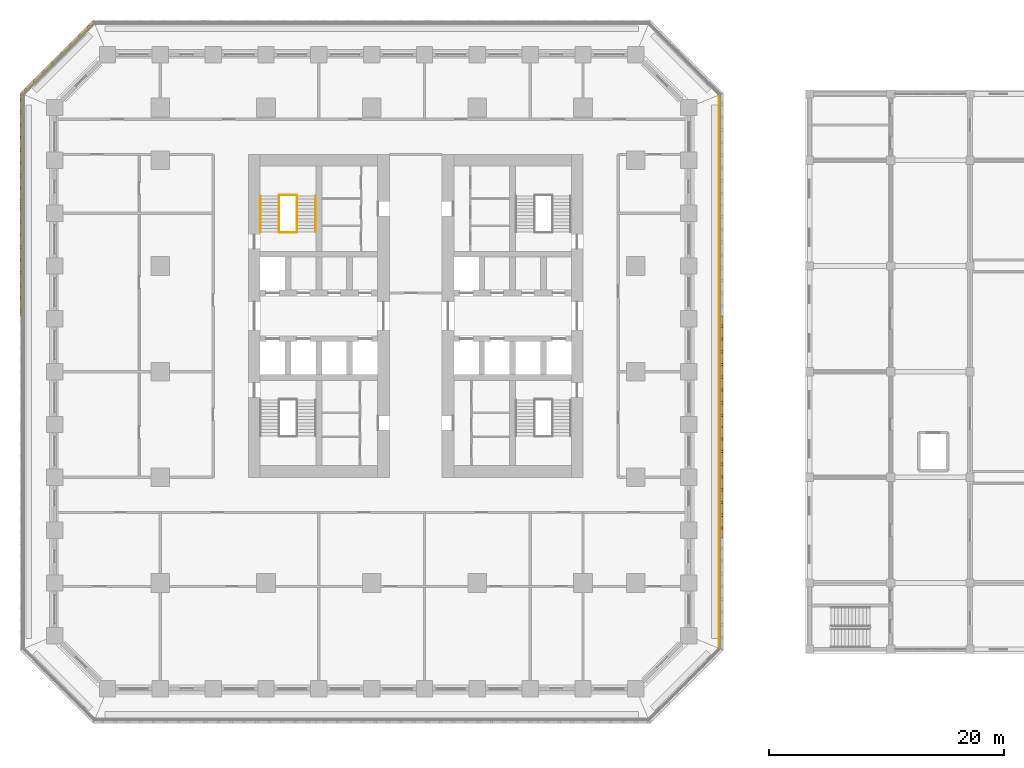
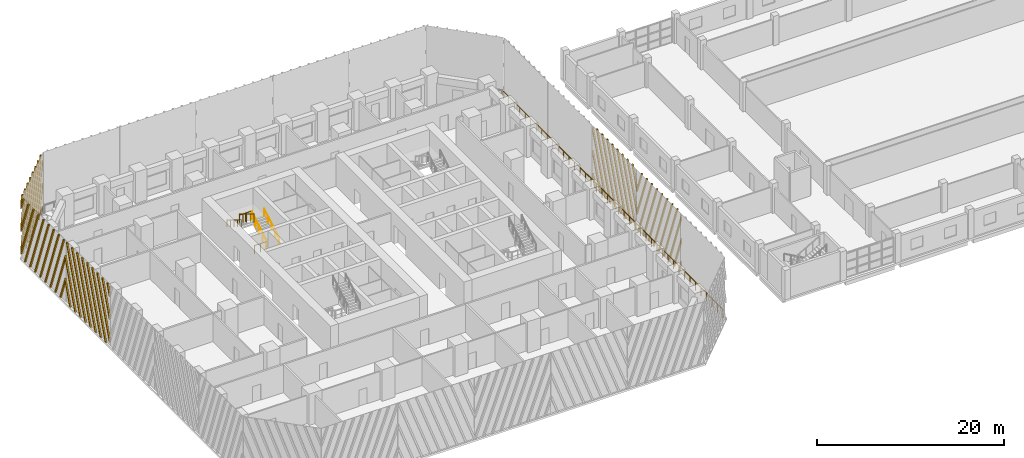
# One storey, part 23 of 31: 7 railings, 5 shading devices.
"""IFC4 building model written with IfcOpenShell, lengths in metres."""

from ifc_helpers import new_model, si_unit, direction, frame, origin, origin_2d, place, context, subcontext, project, spatial, polyline, circle, outline, extrude, source, transform, mapped, material, type_object, element, save


model = new_model("IFC4")

# Units and contexts
model_context = context("Model", 3, precision=1e-05, world=origin(), true_north=direction((0.0, 1.0)))
body_context = subcontext(model_context, "Body", "Model", "MODEL_VIEW")
ifc_project = project(units=[si_unit("LENGTHUNIT", "METRE"), si_unit("AREAUNIT", "SQUARE_METRE"), si_unit("VOLUMEUNIT", "CUBIC_METRE"), si_unit("PLANEANGLEUNIT", "RADIAN"), si_unit("MASSUNIT", "GRAM", prefix="KILO")], contexts=[model_context])

# Site, building, storey
site_placement = place(None, origin())
site = spatial("IfcSite", under=ifc_project, at=site_placement, CompositionType="ELEMENT")
building_placement = place(site_placement, origin())
building = spatial("IfcBuilding", under=site, at=building_placement, Name="Corbel Stack Research Tower", CompositionType="ELEMENT")
storey_placement = place(building_placement, frame((0.0, 0.0, 15.39990234375)))
storey = spatial("IfcBuildingStorey", under=building, at=storey_placement, Name="L03", CompositionType="ELEMENT", Elevation=15.39990234375)

# Railings
ifc_material_1 = material(Name="Steel S355", Category="steel")
railing_type_1 = type_object("IfcRailingType", Name="Stair guard 1100", PredefinedType="GUARDRAIL", material=ifc_material_1)
railing_1_placement = place(storey_placement, frame((-6.35009765625, 11.89990234375, 0.1708984375)))
element("IfcRailing", 1, at=railing_1_placement, inside=storey, type_object=railing_type_1, Name="L03 ST-W2 stair guard 1", PredefinedType="GUARDRAIL", context=body_context, shape_type="SweptSolid", body=[
    extrude(circle(Radius=0.02392578125, at=origin_2d()), frame((0.0, 0.0, 1.076171875), z_axis=(0.0, 0.853666305674, 0.52082035152), x_axis=(-1.0, 0.0, 0.0)), (0.0, 0.0, 1.0), 3.608154296875),
    extrude(circle(Radius=0.02099609375, at=origin_2d()), origin(), (0.0, 0.0, 1.0), 1.052001953125),
    extrude(circle(Radius=0.02099609375, at=origin_2d()), frame((0.0, 0.77001953125, 0.4697265625)), (0.0, 0.0, 1.0), 1.052001953125),
    extrude(circle(Radius=0.02099609375, at=origin_2d()), frame((0.0, 1.5400390625, 0.939453125)), (0.0, 0.0, 1.0), 1.052001953125),
    extrude(circle(Radius=0.02099609375, at=origin_2d()), frame((0.0, 2.31005859375, 1.409423828125)), (0.0, 0.0, 1.0), 1.052001953125),
    extrude(circle(Radius=0.02099609375, at=origin_2d()), frame((0.0, 3.080078125, 1.879150390625)), (0.0, 0.0, 1.0), 1.052001953125),
])
railing_2_placement = place(storey_placement, frame((-6.39990234375, 15.030029296875, 2.050048828125)))
element("IfcRailing", 2, at=railing_2_placement, inside=storey, type_object=railing_type_1, Name="L03 ST-W2 stair guard 2", PredefinedType="GUARDRAIL", context=body_context, shape_type="SweptSolid", body=[
    extrude(circle(Radius=0.02392578125, at=origin_2d()), frame((0.0, 0.0, 1.076171875), z_axis=(-1.0, 0.0, 0.0), x_axis=(0.0, -1.0, 0.0)), (0.0, 0.0, 1.0), 1.4501953125),
    extrude(circle(Radius=0.02099609375, at=origin_2d()), origin(), (0.0, 0.0, 1.0), 1.052001953125),
    extrude(circle(Radius=0.02099609375, at=origin_2d()), frame((-0.72509765625, 0.0, 0.0)), (0.0, 0.0, 1.0), 1.052001953125),
    extrude(circle(Radius=0.02099609375, at=origin_2d()), frame((-1.4501953125, 0.0, 0.0)), (0.0, 0.0, 1.0), 1.052001953125),
])
railing_3_placement = place(storey_placement, frame((-7.89990234375, 14.97998046875, 2.220947265625)))
element("IfcRailing", 3, at=railing_3_placement, inside=storey, type_object=railing_type_1, Name="L03 ST-W2 stair guard 3", PredefinedType="GUARDRAIL", context=body_context, shape_type="SweptSolid", body=[
    extrude(circle(Radius=0.02392578125, at=origin_2d()), frame((0.0, 0.0, 1.076171875), z_axis=(0.0, -0.853666305674, 0.52082035152), x_axis=(1.0, 0.0, 0.0)), (0.0, 0.0, 1.0), 3.608154296875),
    extrude(circle(Radius=0.02099609375, at=origin_2d()), origin(), (0.0, 0.0, 1.0), 1.052001953125),
    extrude(circle(Radius=0.02099609375, at=origin_2d()), frame((0.0, -0.77001953125, 0.4697265625)), (0.0, 0.0, 1.0), 1.052001953125),
    extrude(circle(Radius=0.02099609375, at=origin_2d()), frame((0.0, -1.5400390625, 0.939453125)), (0.0, 0.0, 1.0), 1.052001953125),
    extrude(circle(Radius=0.02099609375, at=origin_2d()), frame((0.0, -2.31005859375, 1.409423828125)), (0.0, 0.0, 1.0), 1.052001953125),
    extrude(circle(Radius=0.02099609375, at=origin_2d()), frame((0.0, -3.080078125, 1.879150390625)), (0.0, 0.0, 1.0), 1.052001953125),
])
railing_4_placement = place(storey_placement, frame((-6.39990234375, 11.85009765625, 0.0)))
element("IfcRailing", 4, at=railing_4_placement, inside=storey, type_object=railing_type_1, Name="L03 ST-W2 stair guard 4", PredefinedType="GUARDRAIL", context=body_context, shape_type="SweptSolid", body=[
    extrude(circle(Radius=0.02392578125, at=origin_2d()), frame((0.0, 0.0, 1.076171875), z_axis=(-1.0, 0.0, 0.0), x_axis=(0.0, -1.0, 0.0)), (0.0, 0.0, 1.0), 1.4501953125),
    extrude(circle(Radius=0.02099609375, at=origin_2d()), origin(), (0.0, 0.0, 1.0), 1.052001953125),
    extrude(circle(Radius=0.02099609375, at=origin_2d()), frame((-0.72509765625, 0.0, 0.0)), (0.0, 0.0, 1.0), 1.052001953125),
    extrude(circle(Radius=0.02099609375, at=origin_2d()), frame((-1.4501953125, 0.0, 0.0)), (0.0, 0.0, 1.0), 1.052001953125),
])
ifc_material_2 = material(Name="Steel S355", Category="steel")
railing_type_2 = type_object("IfcRailingType", Name="Stair handrail 900", PredefinedType="HANDRAIL", material=ifc_material_2)
railing_5_placement = place(storey_placement, frame((-4.800048828125, 11.89990234375, 0.1708984375)))
element("IfcRailing", 5, at=railing_5_placement, inside=storey, type_object=railing_type_2, Name="L03 ST-W2 stair handrail 1", PredefinedType="HANDRAIL", context=body_context, shape_type="SweptSolid", body=[
    extrude(circle(Radius=0.02392578125, at=origin_2d()), frame((0.0, 0.0, 0.8759765625), z_axis=(0.0, 0.853666305674, 0.52082035152), x_axis=(-1.0, 0.0, 0.0)), (0.0, 0.0, 1.0), 3.608154296875),
    extrude(circle(Radius=0.02099609375, at=origin_2d()), origin(), (0.0, 0.0, 1.0), 0.851806640625),
    extrude(circle(Radius=0.02099609375, at=origin_2d()), frame((0.0, 0.77001953125, 0.4697265625)), (0.0, 0.0, 1.0), 0.851806640625),
    extrude(circle(Radius=0.02099609375, at=origin_2d()), frame((0.0, 1.5400390625, 0.939453125)), (0.0, 0.0, 1.0), 0.851806640625),
    extrude(circle(Radius=0.02099609375, at=origin_2d()), frame((0.0, 2.31005859375, 1.409423828125)), (0.0, 0.0, 1.0), 0.851806640625),
    extrude(circle(Radius=0.02099609375, at=origin_2d()), frame((0.0, 3.080078125, 1.879150390625)), (0.0, 0.0, 1.0), 0.851806640625),
])
railing_6_placement = place(storey_placement, frame((-9.449951171875, 14.97998046875, 2.220947265625)))
element("IfcRailing", 6, at=railing_6_placement, inside=storey, type_object=railing_type_2, Name="L03 ST-W2 stair handrail 2", PredefinedType="HANDRAIL", context=body_context, shape_type="SweptSolid", body=[
    extrude(circle(Radius=0.02392578125, at=origin_2d()), frame((0.0, 0.0, 0.8759765625), z_axis=(0.0, -0.853666305674, 0.52082035152), x_axis=(1.0, 0.0, 0.0)), (0.0, 0.0, 1.0), 3.608154296875),
    extrude(circle(Radius=0.02099609375, at=origin_2d()), origin(), (0.0, 0.0, 1.0), 0.851806640625),
    extrude(circle(Radius=0.02099609375, at=origin_2d()), frame((0.0, -0.77001953125, 0.4697265625)), (0.0, 0.0, 1.0), 0.851806640625),
    extrude(circle(Radius=0.02099609375, at=origin_2d()), frame((0.0, -1.5400390625, 0.939453125)), (0.0, 0.0, 1.0), 0.851806640625),
    extrude(circle(Radius=0.02099609375, at=origin_2d()), frame((0.0, -2.31005859375, 1.409423828125)), (0.0, 0.0, 1.0), 0.851806640625),
    extrude(circle(Radius=0.02099609375, at=origin_2d()), frame((0.0, -3.080078125, 1.879150390625)), (0.0, 0.0, 1.0), 0.851806640625),
])
ifc_material_3 = material(Name="Powder-coated steel guard", Category="steel")
railing_type_3 = type_object("IfcRailingType", Name="Steel and glass guard 1100", PredefinedType="GUARDRAIL", material=ifc_material_3)
railing_7_placement = place(storey_placement, frame((29.60009765625, -23.50537109375, 0.0)))
element("IfcRailing", 7, at=railing_7_placement, inside=storey, type_object=railing_type_3, Name="Loggia guard L03 E", PredefinedType="GUARDRAIL", context=body_context, shape_type="SweptSolid", body=[
    extrude(circle(Radius=0.02392578125, at=origin_2d()), frame((0.0, 0.0, 1.076171875), z_axis=(0.0, 1.0, 0.0), x_axis=(-1.0, 0.0, 0.0)), (0.0, 0.0, 1.0), 47.0107421875),
    extrude(circle(Radius=0.02099609375, at=origin_2d()), origin(), (0.0, 0.0, 1.0), 1.052001953125),
    extrude(circle(Radius=0.02099609375, at=origin_2d()), frame((0.0, 1.17529296875, 0.0)), (0.0, 0.0, 1.0), 1.052001953125),
    extrude(circle(Radius=0.02099609375, at=origin_2d()), frame((0.0, 2.3505859375, 0.0)), (0.0, 0.0, 1.0), 1.052001953125),
    extrude(circle(Radius=0.02099609375, at=origin_2d()), frame((0.0, 3.52587890625, 0.0)), (0.0, 0.0, 1.0), 1.052001953125),
    extrude(circle(Radius=0.02099609375, at=origin_2d()), frame((0.0, 4.701171875, 0.0)), (0.0, 0.0, 1.0), 1.052001953125),
    extrude(circle(Radius=0.02099609375, at=origin_2d()), frame((0.0, 5.87646484375, 0.0)), (0.0, 0.0, 1.0), 1.052001953125),
    extrude(circle(Radius=0.02099609375, at=origin_2d()), frame((0.0, 7.051513671875, 0.0)), (0.0, 0.0, 1.0), 1.052001953125),
    extrude(circle(Radius=0.02099609375, at=origin_2d()), frame((0.0, 8.226806640625, 0.0)), (0.0, 0.0, 1.0), 1.052001953125),
    extrude(circle(Radius=0.02099609375, at=origin_2d()), frame((0.0, 9.402099609375, 0.0)), (0.0, 0.0, 1.0), 1.052001953125),
    extrude(circle(Radius=0.02099609375, at=origin_2d()), frame((0.0, 10.577392578125, 0.0)), (0.0, 0.0, 1.0), 1.052001953125),
    extrude(circle(Radius=0.02099609375, at=origin_2d()), frame((0.0, 11.752685546875, 0.0)), (0.0, 0.0, 1.0), 1.052001953125),
    extrude(circle(Radius=0.02099609375, at=origin_2d()), frame((0.0, 12.927978515625, 0.0)), (0.0, 0.0, 1.0), 1.052001953125),
    extrude(circle(Radius=0.02099609375, at=origin_2d()), frame((0.0, 14.103271484375, 0.0)), (0.0, 0.0, 1.0), 1.052001953125),
    extrude(circle(Radius=0.02099609375, at=origin_2d()), frame((0.0, 15.278564453125, 0.0)), (0.0, 0.0, 1.0), 1.052001953125),
    extrude(circle(Radius=0.02099609375, at=origin_2d()), frame((0.0, 16.453857421875, 0.0)), (0.0, 0.0, 1.0), 1.052001953125),
    extrude(circle(Radius=0.02099609375, at=origin_2d()), frame((0.0, 17.62890625, 0.0)), (0.0, 0.0, 1.0), 1.052001953125),
    extrude(circle(Radius=0.02099609375, at=origin_2d()), frame((0.0, 18.80419921875, 0.0)), (0.0, 0.0, 1.0), 1.052001953125),
    extrude(circle(Radius=0.02099609375, at=origin_2d()), frame((0.0, 19.9794921875, 0.0)), (0.0, 0.0, 1.0), 1.052001953125),
    extrude(circle(Radius=0.02099609375, at=origin_2d()), frame((0.0, 21.15478515625, 0.0)), (0.0, 0.0, 1.0), 1.052001953125),
    extrude(circle(Radius=0.02099609375, at=origin_2d()), frame((0.0, 22.330078125, 0.0)), (0.0, 0.0, 1.0), 1.052001953125),
    extrude(circle(Radius=0.02099609375, at=origin_2d()), frame((0.0, 23.50537109375, 0.0)), (0.0, 0.0, 1.0), 1.052001953125),
    extrude(circle(Radius=0.02099609375, at=origin_2d()), frame((0.0, 24.6806640625, 0.0)), (0.0, 0.0, 1.0), 1.052001953125),
    extrude(circle(Radius=0.02099609375, at=origin_2d()), frame((0.0, 25.85595703125, 0.0)), (0.0, 0.0, 1.0), 1.052001953125),
    extrude(circle(Radius=0.02099609375, at=origin_2d()), frame((0.0, 27.03125, 0.0)), (0.0, 0.0, 1.0), 1.052001953125),
    extrude(circle(Radius=0.02099609375, at=origin_2d()), frame((0.0, 28.20654296875, 0.0)), (0.0, 0.0, 1.0), 1.052001953125),
    extrude(circle(Radius=0.02099609375, at=origin_2d()), frame((0.0, 29.3818359375, 0.0)), (0.0, 0.0, 1.0), 1.052001953125),
    extrude(circle(Radius=0.02099609375, at=origin_2d()), frame((0.0, 30.556884765625, 0.0)), (0.0, 0.0, 1.0), 1.052001953125),
    extrude(circle(Radius=0.02099609375, at=origin_2d()), frame((0.0, 31.732177734375, 0.0)), (0.0, 0.0, 1.0), 1.052001953125),
    extrude(circle(Radius=0.02099609375, at=origin_2d()), frame((0.0, 32.907470703125, 0.0)), (0.0, 0.0, 1.0), 1.052001953125),
    extrude(circle(Radius=0.02099609375, at=origin_2d()), frame((0.0, 34.082763671875, 0.0)), (0.0, 0.0, 1.0), 1.052001953125),
    extrude(circle(Radius=0.02099609375, at=origin_2d()), frame((0.0, 35.258056640625, 0.0)), (0.0, 0.0, 1.0), 1.052001953125),
    extrude(circle(Radius=0.02099609375, at=origin_2d()), frame((0.0, 36.433349609375, 0.0)), (0.0, 0.0, 1.0), 1.052001953125),
    extrude(circle(Radius=0.02099609375, at=origin_2d()), frame((0.0, 37.608642578125, 0.0)), (0.0, 0.0, 1.0), 1.052001953125),
    extrude(circle(Radius=0.02099609375, at=origin_2d()), frame((0.0, 38.783935546875, 0.0)), (0.0, 0.0, 1.0), 1.052001953125),
    extrude(circle(Radius=0.02099609375, at=origin_2d()), frame((0.0, 39.959228515625, 0.0)), (0.0, 0.0, 1.0), 1.052001953125),
    extrude(circle(Radius=0.02099609375, at=origin_2d()), frame((0.0, 41.13427734375, 0.0)), (0.0, 0.0, 1.0), 1.052001953125),
    extrude(circle(Radius=0.02099609375, at=origin_2d()), frame((0.0, 42.3095703125, 0.0)), (0.0, 0.0, 1.0), 1.052001953125),
    extrude(circle(Radius=0.02099609375, at=origin_2d()), frame((0.0, 43.48486328125, 0.0)), (0.0, 0.0, 1.0), 1.052001953125),
    extrude(circle(Radius=0.02099609375, at=origin_2d()), frame((0.0, 44.66015625, 0.0)), (0.0, 0.0, 1.0), 1.052001953125),
    extrude(circle(Radius=0.02099609375, at=origin_2d()), frame((0.0, 45.83544921875, 0.0)), (0.0, 0.0, 1.0), 1.052001953125),
    extrude(circle(Radius=0.02099609375, at=origin_2d()), frame((0.0, 47.0107421875, 0.0)), (0.0, 0.0, 1.0), 1.052001953125),
])

# Shading devices
ifc_material_4 = material(Name="Precast terracotta", Category="masonry")
shading_device_type = type_object("IfcShadingDeviceType", Name="Terracotta screen panel", PredefinedType="USERDEFINED", material=ifc_material_4)
shared_shape_1 = source(origin(), body_context, "Body", "SweptSolid", [
    extrude(outline(polyline([(1.09033203125, 7.949951171875), (0.900390625, 7.949951171875), (0.0, 5.476318359375), (0.0, 4.9541015625), (1.09033203125, 7.949951171875)])), frame((0.0, 0.0, 0.0), z_axis=(0.0, -1.0, 0.0), x_axis=(1.0, 0.0, 0.0)), (0.0, 0.0, 1.0), 0.179931640625),
    extrude(outline(polyline([(2.175048828125, 7.949951171875), (1.985107421875, 7.949951171875), (0.0, 2.49609375), (0.0, 1.97412109375), (2.175048828125, 7.949951171875)])), frame((0.0, 0.0, 0.0), z_axis=(0.0, -1.0, 0.0), x_axis=(1.0, 0.0, 0.0)), (0.0, 0.0, 1.0), 0.179931640625),
    extrude(outline(polyline([(0.3662109375, 0.0), (3.259765625, 7.949951171875), (3.069580078125, 7.949951171875), (0.17626953125, 0.0), (0.3662109375, 0.0)])), frame((0.0, 0.0, 0.0), z_axis=(0.0, -1.0, 0.0), x_axis=(1.0, 0.0, 0.0)), (0.0, 0.0, 1.0), 0.179931640625),
    extrude(outline(polyline([(1.45068359375, 0.0), (4.344482421875, 7.949951171875), (4.154296875, 7.949951171875), (1.2607421875, 0.0), (1.45068359375, 0.0)])), frame((0.0, 0.0, 0.0), z_axis=(0.0, -1.0, 0.0), x_axis=(1.0, 0.0, 0.0)), (0.0, 0.0, 1.0), 0.179931640625),
    extrude(outline(polyline([(2.535400390625, 0.0), (5.42919921875, 7.949951171875), (5.239013671875, 7.949951171875), (2.345458984375, 0.0), (2.535400390625, 0.0)])), frame((0.0, 0.0, 0.0), z_axis=(0.0, -1.0, 0.0), x_axis=(1.0, 0.0, 0.0)), (0.0, 0.0, 1.0), 0.179931640625),
    extrude(outline(polyline([(3.6201171875, 0.0), (6.513671875, 7.949951171875), (6.32373046875, 7.949951171875), (3.43017578125, 0.0), (3.6201171875, 0.0)])), frame((0.0, 0.0, 0.0), z_axis=(0.0, -1.0, 0.0), x_axis=(1.0, 0.0, 0.0)), (0.0, 0.0, 1.0), 0.179931640625),
    extrude(outline(polyline([(4.704833984375, 0.0), (7.598388671875, 7.949951171875), (7.408447265625, 7.949951171875), (4.514892578125, 0.0), (4.704833984375, 0.0)])), frame((0.0, 0.0, 0.0), z_axis=(0.0, -1.0, 0.0), x_axis=(1.0, 0.0, 0.0)), (0.0, 0.0, 1.0), 0.179931640625),
    extrude(outline(polyline([(5.78955078125, 0.0), (8.68310546875, 7.949951171875), (8.4931640625, 7.949951171875), (5.599609375, 0.0), (5.78955078125, 0.0)])), frame((0.0, 0.0, 0.0), z_axis=(0.0, -1.0, 0.0), x_axis=(1.0, 0.0, 0.0)), (0.0, 0.0, 1.0), 0.179931640625),
    extrude(outline(polyline([(6.874267578125, 0.0), (9.45556640625, 7.092529296875), (9.45556640625, 7.614501953125), (6.68408203125, 0.0), (6.874267578125, 0.0)])), frame((0.0, 0.0, 0.0), z_axis=(0.0, -1.0, 0.0), x_axis=(1.0, 0.0, 0.0)), (0.0, 0.0, 1.0), 0.179931640625),
    extrude(outline(polyline([(7.958740234375, 0.0), (9.45556640625, 4.1123046875), (9.45556640625, 4.634521484375), (7.768798828125, 0.0), (7.958740234375, 0.0)])), frame((0.0, 0.0, 0.0), z_axis=(0.0, -1.0, 0.0), x_axis=(1.0, 0.0, 0.0)), (0.0, 0.0, 1.0), 0.179931640625),
    extrude(outline(polyline([(9.04345703125, 0.0), (9.45556640625, 1.13232421875), (9.45556640625, 1.654296875), (8.853515625, 0.0), (9.04345703125, 0.0)])), frame((0.0, 0.0, 0.0), z_axis=(0.0, -1.0, 0.0), x_axis=(1.0, 0.0, 0.0)), (0.0, 0.0, 1.0), 0.179931640625),
])
shading_device_1_placement = place(storey_placement, frame((29.75, -4.727783203125, 0.0), z_axis=(0.0, 0.0, 1.0), x_axis=(0.0, 1.0, 0.0)))
element("IfcShadingDevice", 8, at=shading_device_1_placement, inside=storey, type_object=shading_device_type, Name="Terracotta screen L03 E3", ObjectType="SCREEN", PredefinedType="USERDEFINED", context=body_context, shape_type="MappedRepresentation", body=[
    mapped(shared_shape_1, transform((0.0, 0.0, 0.0))),
])
shared_shape_2 = source(origin(), body_context, "Body", "SweptSolid", [
    extrude(outline(polyline([(0.60205078125, 0.0), (0.0, 1.654296875), (0.0, 1.13232421875), (0.412109375, 0.0), (0.60205078125, 0.0)])), frame((0.0, 0.0, 0.0), z_axis=(0.0, -1.0, 0.0), x_axis=(1.0, 0.0, 0.0)), (0.0, 0.0, 1.0), 0.179931640625),
    extrude(outline(polyline([(1.686767578125, 0.0), (0.0, 4.634521484375), (0.0, 4.1123046875), (1.496826171875, 0.0), (1.686767578125, 0.0)])), frame((0.0, 0.0, 0.0), z_axis=(0.0, -1.0, 0.0), x_axis=(1.0, 0.0, 0.0)), (0.0, 0.0, 1.0), 0.179931640625),
    extrude(outline(polyline([(2.771484375, 0.0), (0.0, 7.614501953125), (0.0, 7.092529296875), (2.58154296875, 0.0), (2.771484375, 0.0)])), frame((0.0, 0.0, 0.0), z_axis=(0.0, -1.0, 0.0), x_axis=(1.0, 0.0, 0.0)), (0.0, 0.0, 1.0), 0.179931640625),
    extrude(outline(polyline([(3.856201171875, 0.0), (0.962646484375, 7.949951171875), (0.772705078125, 7.949951171875), (3.666015625, 0.0), (3.856201171875, 0.0)])), frame((0.0, 0.0, 0.0), z_axis=(0.0, -1.0, 0.0), x_axis=(1.0, 0.0, 0.0)), (0.0, 0.0, 1.0), 0.179931640625),
    extrude(outline(polyline([(4.94091796875, 0.0), (2.047119140625, 7.949951171875), (1.857177734375, 7.949951171875), (4.750732421875, 0.0), (4.94091796875, 0.0)])), frame((0.0, 0.0, 0.0), z_axis=(0.0, -1.0, 0.0), x_axis=(1.0, 0.0, 0.0)), (0.0, 0.0, 1.0), 0.179931640625),
    extrude(outline(polyline([(6.025390625, 0.0), (3.1318359375, 7.949951171875), (2.94189453125, 7.949951171875), (5.83544921875, 0.0), (6.025390625, 0.0)])), frame((0.0, 0.0, 0.0), z_axis=(0.0, -1.0, 0.0), x_axis=(1.0, 0.0, 0.0)), (0.0, 0.0, 1.0), 0.179931640625),
    extrude(outline(polyline([(7.110107421875, 0.0), (4.216552734375, 7.949951171875), (4.026611328125, 7.949951171875), (6.920166015625, 0.0), (7.110107421875, 0.0)])), frame((0.0, 0.0, 0.0), z_axis=(0.0, -1.0, 0.0), x_axis=(1.0, 0.0, 0.0)), (0.0, 0.0, 1.0), 0.179931640625),
    extrude(outline(polyline([(8.19482421875, 0.0), (5.30126953125, 7.949951171875), (5.111083984375, 7.949951171875), (8.0048828125, 0.0), (8.19482421875, 0.0)])), frame((0.0, 0.0, 0.0), z_axis=(0.0, -1.0, 0.0), x_axis=(1.0, 0.0, 0.0)), (0.0, 0.0, 1.0), 0.179931640625),
    extrude(outline(polyline([(9.279541015625, 0.0), (6.385986328125, 7.949951171875), (6.19580078125, 7.949951171875), (9.089599609375, 0.0), (9.279541015625, 0.0)])), frame((0.0, 0.0, 0.0), z_axis=(0.0, -1.0, 0.0), x_axis=(1.0, 0.0, 0.0)), (0.0, 0.0, 1.0), 0.179931640625),
    extrude(outline(polyline([(7.470703125, 7.949951171875), (7.280517578125, 7.949951171875), (9.45556640625, 1.97412109375), (9.45556640625, 2.49609375), (7.470703125, 7.949951171875)])), frame((0.0, 0.0, 0.0), z_axis=(0.0, -1.0, 0.0), x_axis=(1.0, 0.0, 0.0)), (0.0, 0.0, 1.0), 0.179931640625),
    extrude(outline(polyline([(8.55517578125, 7.949951171875), (8.365234375, 7.949951171875), (9.45556640625, 4.9541015625), (9.45556640625, 5.476318359375), (8.55517578125, 7.949951171875)])), frame((0.0, 0.0, 0.0), z_axis=(0.0, -1.0, 0.0), x_axis=(1.0, 0.0, 0.0)), (0.0, 0.0, 1.0), 0.179931640625),
])
shading_device_2_placement = place(storey_placement, frame((29.75, -14.18359375, 0.0), z_axis=(0.0, 0.0, 1.0), x_axis=(0.0, 1.0, 0.0)))
element("IfcShadingDevice", 9, at=shading_device_2_placement, inside=storey, type_object=shading_device_type, Name="Terracotta screen L03 E2", ObjectType="SCREEN", PredefinedType="USERDEFINED", context=body_context, shape_type="MappedRepresentation", body=[
    mapped(shared_shape_2, transform((0.0, 0.0, 0.0))),
])
shared_shape_3 = source(origin(), body_context, "Body", "SweptSolid", [
    extrude(outline(polyline([(0.548095703125, 7.949951171875), (0.358154296875, 7.949951171875), (0.0, 6.96630859375), (0.0, 6.444091796875), (0.548095703125, 7.949951171875)])), frame((0.0, 0.0, 0.0), z_axis=(0.0, -1.0, 0.0), x_axis=(1.0, 0.0, 0.0)), (0.0, 0.0, 1.0), 0.179931640625),
    extrude(outline(polyline([(1.6328125, 7.949951171875), (1.442626953125, 7.949951171875), (0.0, 3.986083984375), (0.0, 3.464111328125), (1.6328125, 7.949951171875)])), frame((0.0, 0.0, 0.0), z_axis=(0.0, -1.0, 0.0), x_axis=(1.0, 0.0, 0.0)), (0.0, 0.0, 1.0), 0.179931640625),
    extrude(outline(polyline([(2.71728515625, 7.949951171875), (2.52734375, 7.949951171875), (0.0, 1.006103515625), (0.0, 0.48388671875), (2.71728515625, 7.949951171875)])), frame((0.0, 0.0, 0.0), z_axis=(0.0, -1.0, 0.0), x_axis=(1.0, 0.0, 0.0)), (0.0, 0.0, 1.0), 0.179931640625),
    extrude(outline(polyline([(0.908447265625, 0.0), (3.802001953125, 7.949951171875), (3.612060546875, 7.949951171875), (0.718505859375, 0.0), (0.908447265625, 0.0)])), frame((0.0, 0.0, 0.0), z_axis=(0.0, -1.0, 0.0), x_axis=(1.0, 0.0, 0.0)), (0.0, 0.0, 1.0), 0.179931640625),
    extrude(outline(polyline([(1.9931640625, 0.0), (4.88671875, 7.949951171875), (4.69677734375, 7.949951171875), (1.80322265625, 0.0), (1.9931640625, 0.0)])), frame((0.0, 0.0, 0.0), z_axis=(0.0, -1.0, 0.0), x_axis=(1.0, 0.0, 0.0)), (0.0, 0.0, 1.0), 0.179931640625),
    extrude(outline(polyline([(3.077880859375, 0.0), (5.971435546875, 7.949951171875), (5.781494140625, 7.949951171875), (2.8876953125, 0.0), (3.077880859375, 0.0)])), frame((0.0, 0.0, 0.0), z_axis=(0.0, -1.0, 0.0), x_axis=(1.0, 0.0, 0.0)), (0.0, 0.0, 1.0), 0.179931640625),
    extrude(outline(polyline([(4.16259765625, 0.0), (7.05615234375, 7.949951171875), (6.8662109375, 7.949951171875), (3.972412109375, 0.0), (4.16259765625, 0.0)])), frame((0.0, 0.0, 0.0), z_axis=(0.0, -1.0, 0.0), x_axis=(1.0, 0.0, 0.0)), (0.0, 0.0, 1.0), 0.179931640625),
    extrude(outline(polyline([(5.247314453125, 0.0), (8.140625, 7.949951171875), (7.95068359375, 7.949951171875), (5.05712890625, 0.0), (5.247314453125, 0.0)])), frame((0.0, 0.0, 0.0), z_axis=(0.0, -1.0, 0.0), x_axis=(1.0, 0.0, 0.0)), (0.0, 0.0, 1.0), 0.179931640625),
    extrude(outline(polyline([(6.331787109375, 0.0), (9.225341796875, 7.949951171875), (9.035400390625, 7.949951171875), (6.141845703125, 0.0), (6.331787109375, 0.0)])), frame((0.0, 0.0, 0.0), z_axis=(0.0, -1.0, 0.0), x_axis=(1.0, 0.0, 0.0)), (0.0, 0.0, 1.0), 0.179931640625),
    extrude(outline(polyline([(7.41650390625, 0.0), (9.45556640625, 5.6025390625), (9.45556640625, 6.12451171875), (7.2265625, 0.0), (7.41650390625, 0.0)])), frame((0.0, 0.0, 0.0), z_axis=(0.0, -1.0, 0.0), x_axis=(1.0, 0.0, 0.0)), (0.0, 0.0, 1.0), 0.179931640625),
    extrude(outline(polyline([(8.501220703125, 0.0), (9.45556640625, 2.622314453125), (9.45556640625, 3.144287109375), (8.311279296875, 0.0), (8.501220703125, 0.0)])), frame((0.0, 0.0, 0.0), z_axis=(0.0, -1.0, 0.0), x_axis=(1.0, 0.0, 0.0)), (0.0, 0.0, 1.0), 0.179931640625),
])
shading_device_3_placement = place(storey_placement, frame((-29.75, 23.63916015625, 0.0), z_axis=(0.0, 0.0, 1.0), x_axis=(0.0, -1.0, 0.0)))
element("IfcShadingDevice", 10, at=shading_device_3_placement, inside=storey, type_object=shading_device_type, Name="Terracotta screen L03 W1", ObjectType="SCREEN", PredefinedType="USERDEFINED", context=body_context, shape_type="MappedRepresentation", body=[
    mapped(shared_shape_3, transform((0.0, 0.0, 0.0))),
])
shared_shape_4 = source(origin(), body_context, "Body", "SweptSolid", [
    extrude(outline(polyline([(1.14453125, 0.0), (0.0, 3.144287109375), (0.0, 2.622314453125), (0.95458984375, 0.0), (1.14453125, 0.0)])), frame((0.0, 0.0, 0.0), z_axis=(0.0, -1.0, 0.0), x_axis=(1.0, 0.0, 0.0)), (0.0, 0.0, 1.0), 0.179931640625),
    extrude(outline(polyline([(2.22900390625, 0.0), (0.0, 6.12451171875), (0.0, 5.6025390625), (2.0390625, 0.0), (2.22900390625, 0.0)])), frame((0.0, 0.0, 0.0), z_axis=(0.0, -1.0, 0.0), x_axis=(1.0, 0.0, 0.0)), (0.0, 0.0, 1.0), 0.179931640625),
    extrude(outline(polyline([(3.313720703125, 0.0), (0.420166015625, 7.949951171875), (0.230224609375, 7.949951171875), (3.123779296875, 0.0), (3.313720703125, 0.0)])), frame((0.0, 0.0, 0.0), z_axis=(0.0, -1.0, 0.0), x_axis=(1.0, 0.0, 0.0)), (0.0, 0.0, 1.0), 0.179931640625),
    extrude(outline(polyline([(4.3984375, 0.0), (1.5048828125, 7.949951171875), (1.31494140625, 7.949951171875), (4.20849609375, 0.0), (4.3984375, 0.0)])), frame((0.0, 0.0, 0.0), z_axis=(0.0, -1.0, 0.0), x_axis=(1.0, 0.0, 0.0)), (0.0, 0.0, 1.0), 0.179931640625),
    extrude(outline(polyline([(5.483154296875, 0.0), (2.589599609375, 7.949951171875), (2.399658203125, 7.949951171875), (5.293212890625, 0.0), (5.483154296875, 0.0)])), frame((0.0, 0.0, 0.0), z_axis=(0.0, -1.0, 0.0), x_axis=(1.0, 0.0, 0.0)), (0.0, 0.0, 1.0), 0.179931640625),
    extrude(outline(polyline([(6.56787109375, 0.0), (3.67431640625, 7.949951171875), (3.484130859375, 7.949951171875), (6.377685546875, 0.0), (6.56787109375, 0.0)])), frame((0.0, 0.0, 0.0), z_axis=(0.0, -1.0, 0.0), x_axis=(1.0, 0.0, 0.0)), (0.0, 0.0, 1.0), 0.179931640625),
    extrude(outline(polyline([(7.652587890625, 0.0), (4.7587890625, 7.949951171875), (4.56884765625, 7.949951171875), (7.46240234375, 0.0), (7.652587890625, 0.0)])), frame((0.0, 0.0, 0.0), z_axis=(0.0, -1.0, 0.0), x_axis=(1.0, 0.0, 0.0)), (0.0, 0.0, 1.0), 0.179931640625),
    extrude(outline(polyline([(8.737060546875, 0.0), (5.843505859375, 7.949951171875), (5.653564453125, 7.949951171875), (8.547119140625, 0.0), (8.737060546875, 0.0)])), frame((0.0, 0.0, 0.0), z_axis=(0.0, -1.0, 0.0), x_axis=(1.0, 0.0, 0.0)), (0.0, 0.0, 1.0), 0.179931640625),
    extrude(outline(polyline([(6.92822265625, 7.949951171875), (6.73828125, 7.949951171875), (9.45556640625, 0.48388671875), (9.45556640625, 1.006103515625), (6.92822265625, 7.949951171875)])), frame((0.0, 0.0, 0.0), z_axis=(0.0, -1.0, 0.0), x_axis=(1.0, 0.0, 0.0)), (0.0, 0.0, 1.0), 0.179931640625),
    extrude(outline(polyline([(8.012939453125, 7.949951171875), (7.822998046875, 7.949951171875), (9.45556640625, 3.464111328125), (9.45556640625, 3.986083984375), (8.012939453125, 7.949951171875)])), frame((0.0, 0.0, 0.0), z_axis=(0.0, -1.0, 0.0), x_axis=(1.0, 0.0, 0.0)), (0.0, 0.0, 1.0), 0.179931640625),
    extrude(outline(polyline([(9.09765625, 7.949951171875), (8.90771484375, 7.949951171875), (9.45556640625, 6.444091796875), (9.45556640625, 6.96630859375), (9.09765625, 7.949951171875)])), frame((0.0, 0.0, 0.0), z_axis=(0.0, -1.0, 0.0), x_axis=(1.0, 0.0, 0.0)), (0.0, 0.0, 1.0), 0.179931640625),
])
shading_device_4_placement = place(storey_placement, frame((-29.75, 14.18359375, 0.0), z_axis=(0.0, 0.0, 1.0), x_axis=(0.0, -1.0, 0.0)))
element("IfcShadingDevice", 11, at=shading_device_4_placement, inside=storey, type_object=shading_device_type, Name="Terracotta screen L03 W2", ObjectType="SCREEN", PredefinedType="USERDEFINED", context=body_context, shape_type="MappedRepresentation", body=[
    mapped(shared_shape_4, transform((0.0, 0.0, 0.0))),
])
shared_shape_5 = source(origin(), body_context, "Body", "SweptSolid", [
    extrude(outline(polyline([(0.3310546875, 0.0), (0.0, 0.9091796875), (0.0, 0.38720703125), (0.14111328125, 0.0), (0.3310546875, 0.0)])), frame((0.0, 0.0, 0.0), z_axis=(0.0, -1.0, 0.0), x_axis=(1.0, 0.0, 0.0)), (0.0, 0.0, 1.0), 0.179931640625),
    extrude(outline(polyline([(1.41552734375, 0.0), (0.0, 3.889404296875), (0.0, 3.367431640625), (1.2255859375, 0.0), (1.41552734375, 0.0)])), frame((0.0, 0.0, 0.0), z_axis=(0.0, -1.0, 0.0), x_axis=(1.0, 0.0, 0.0)), (0.0, 0.0, 1.0), 0.179931640625),
    extrude(outline(polyline([(2.500244140625, 0.0), (0.0, 6.869384765625), (0.0, 6.347412109375), (2.310302734375, 0.0), (2.500244140625, 0.0)])), frame((0.0, 0.0, 0.0), z_axis=(0.0, -1.0, 0.0), x_axis=(1.0, 0.0, 0.0)), (0.0, 0.0, 1.0), 0.179931640625),
    extrude(outline(polyline([(3.5849609375, 0.0), (0.69140625, 7.949951171875), (0.50146484375, 7.949951171875), (3.39501953125, 0.0), (3.5849609375, 0.0)])), frame((0.0, 0.0, 0.0), z_axis=(0.0, -1.0, 0.0), x_axis=(1.0, 0.0, 0.0)), (0.0, 0.0, 1.0), 0.179931640625),
    extrude(outline(polyline([(4.669677734375, 0.0), (1.776123046875, 7.949951171875), (1.586181640625, 7.949951171875), (4.4794921875, 0.0), (4.669677734375, 0.0)])), frame((0.0, 0.0, 0.0), z_axis=(0.0, -1.0, 0.0), x_axis=(1.0, 0.0, 0.0)), (0.0, 0.0, 1.0), 0.179931640625),
    extrude(outline(polyline([(5.75439453125, 0.0), (2.860595703125, 7.949951171875), (2.670654296875, 7.949951171875), (5.564208984375, 0.0), (5.75439453125, 0.0)])), frame((0.0, 0.0, 0.0), z_axis=(0.0, -1.0, 0.0), x_axis=(1.0, 0.0, 0.0)), (0.0, 0.0, 1.0), 0.179931640625),
    extrude(outline(polyline([(6.839111328125, 0.0), (3.9453125, 7.949951171875), (3.75537109375, 7.949951171875), (6.64892578125, 0.0), (6.839111328125, 0.0)])), frame((0.0, 0.0, 0.0), z_axis=(0.0, -1.0, 0.0), x_axis=(1.0, 0.0, 0.0)), (0.0, 0.0, 1.0), 0.179931640625),
    extrude(outline(polyline([(7.923583984375, 0.0), (5.030029296875, 7.949951171875), (4.840087890625, 7.949951171875), (7.733642578125, 0.0), (7.923583984375, 0.0)])), frame((0.0, 0.0, 0.0), z_axis=(0.0, -1.0, 0.0), x_axis=(1.0, 0.0, 0.0)), (0.0, 0.0, 1.0), 0.179931640625),
    extrude(outline(polyline([(6.11474609375, 7.949951171875), (5.9248046875, 7.949951171875), (8.64208984375, 0.48388671875), (8.64208984375, 1.006103515625), (6.11474609375, 7.949951171875)])), frame((0.0, 0.0, 0.0), z_axis=(0.0, -1.0, 0.0), x_axis=(1.0, 0.0, 0.0)), (0.0, 0.0, 1.0), 0.179931640625),
    extrude(outline(polyline([(7.199462890625, 7.949951171875), (7.009521484375, 7.949951171875), (8.64208984375, 3.464111328125), (8.64208984375, 3.986083984375), (7.199462890625, 7.949951171875)])), frame((0.0, 0.0, 0.0), z_axis=(0.0, -1.0, 0.0), x_axis=(1.0, 0.0, 0.0)), (0.0, 0.0, 1.0), 0.179931640625),
    extrude(outline(polyline([(8.2841796875, 7.949951171875), (8.093994140625, 7.949951171875), (8.64208984375, 6.444091796875), (8.64208984375, 6.96630859375), (8.2841796875, 7.949951171875)])), frame((0.0, 0.0, 0.0), z_axis=(0.0, -1.0, 0.0), x_axis=(1.0, 0.0, 0.0)), (0.0, 0.0, 1.0), 0.179931640625),
])
shading_device_5_placement = place(storey_placement, frame((-23.63916015625, 29.75, 0.0), z_axis=(0.0, 0.0, 1.0), x_axis=(-0.707106781187, -0.707106781187, 0.0)))
element("IfcShadingDevice", 12, at=shading_device_5_placement, inside=storey, type_object=shading_device_type, Name="Terracotta screen L03 NW1", ObjectType="SCREEN", PredefinedType="USERDEFINED", context=body_context, shape_type="MappedRepresentation", body=[
    mapped(shared_shape_5, transform((0.0, 0.0, 0.0))),
])

save(model, "model.ifc")
